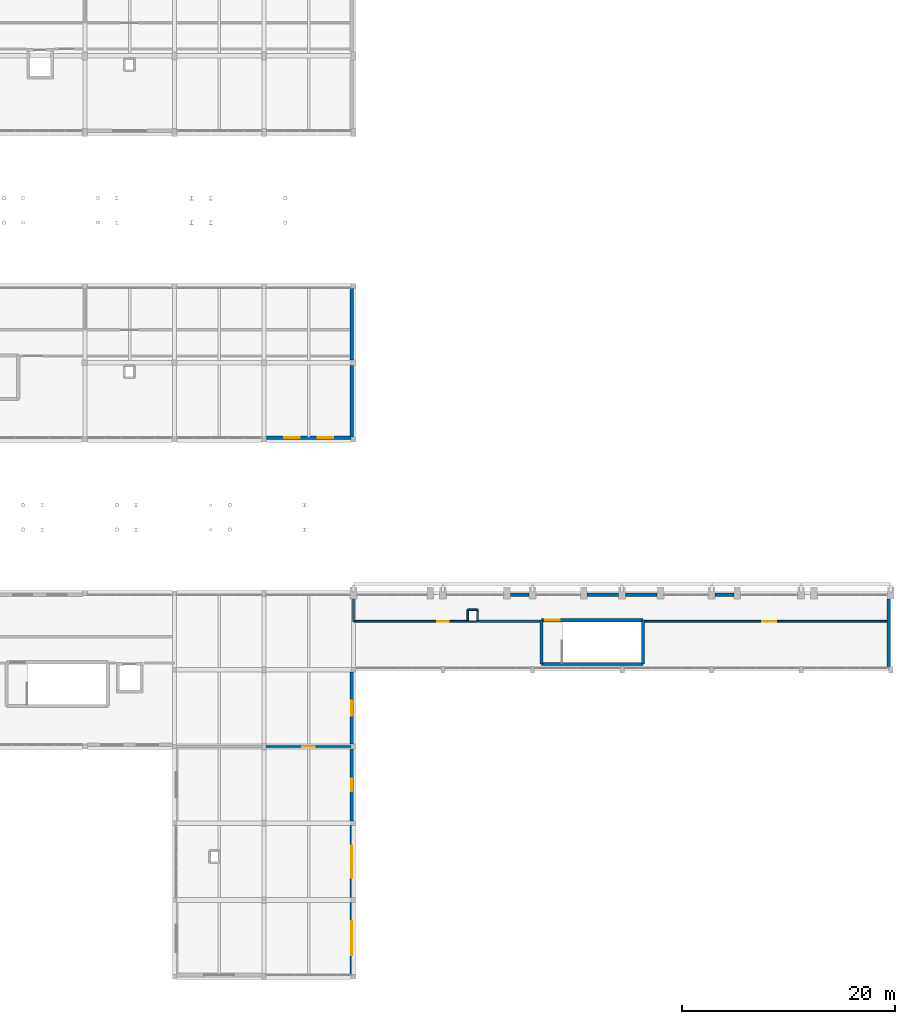
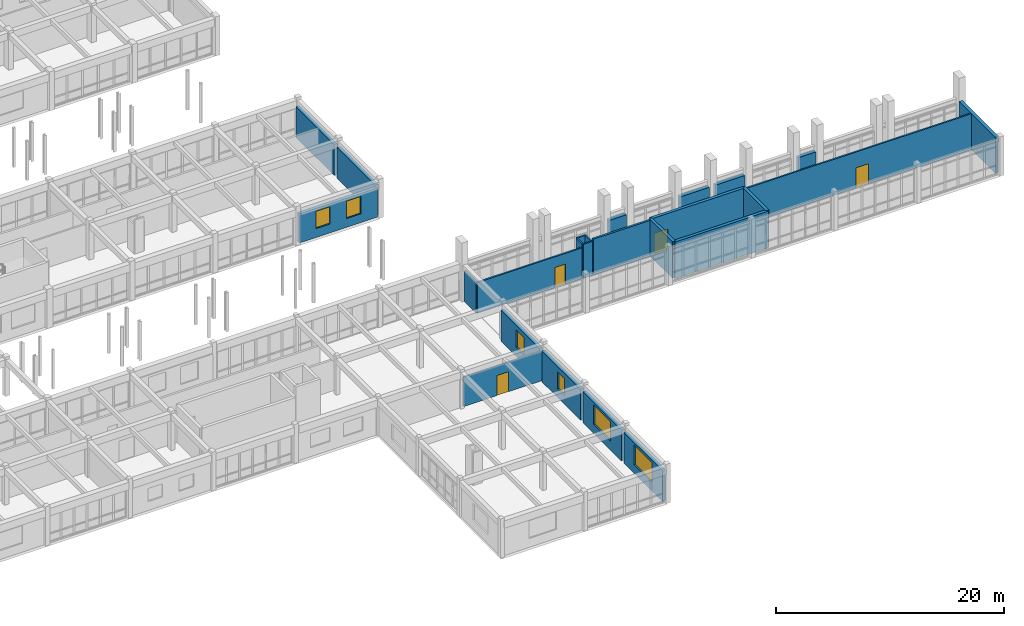
# One storey, part 136 of 147: 25 walls, 6 windows, 4 doors, 10 openings.
"""IFC4 building model written with IfcOpenShell, lengths in metres."""

from ifc_helpers import new_model, si_unit, direction, frame, frame_2d, origin, place, context, subcontext, project, spatial, rectangle, extrude, material, layer, layer_set, type_object, element, fill, save


model = new_model("IFC4")

# Units and contexts
model_context = context("Model", 3, precision=1e-05, world=origin(), true_north=direction((0.0, 1.0)))
body_context = subcontext(model_context, "Body", "Model", "MODEL_VIEW")
ifc_project = project(units=[si_unit("LENGTHUNIT", "METRE"), si_unit("AREAUNIT", "SQUARE_METRE"), si_unit("VOLUMEUNIT", "CUBIC_METRE"), si_unit("PLANEANGLEUNIT", "RADIAN"), si_unit("MASSUNIT", "GRAM", prefix="KILO")], contexts=[model_context])

# Site, building, storey
site_placement = place(None, origin())
site = spatial("IfcSite", under=ifc_project, at=site_placement, CompositionType="ELEMENT")
building_placement = place(site_placement, origin())
building = spatial("IfcBuilding", under=site, at=building_placement, Name="Malvenik Polytechnic", CompositionType="ELEMENT")
storey_placement = place(building_placement, frame((0.0, 0.0, 5.10009765625)))
storey = spatial("IfcBuildingStorey", under=building, at=storey_placement, Name="L01", CompositionType="ELEMENT", Elevation=5.10009765625)

# Wall
ifc_material_1 = material(Name="Concrete C35/45", Category="concrete")
ifc_layer_1 = layer(ifc_material_1, 0.300048828125)
ifc_layer_set_1 = layer_set([ifc_layer_1], Name="Concrete C35/45")
wall_type_1 = type_object("IfcWallType", Name="ARC-CW-S300", PredefinedType="SHEAR", material=ifc_layer_set_1)
wall_1_placement = place(storey_placement, frame((152.050048828125, 29.35009765625, 0.0), z_axis=(0.0, 0.0, 1.0), x_axis=(0.0, 1.0, 0.0)))
element("IfcWall", 1, at=wall_1_placement, inside=storey, type_object=wall_type_1, Name="Stair Core Shear Wall ST-13 L01 NEAR", PredefinedType="SHEAR", context=body_context, shape_type="SweptSolid", body=[
    extrude(rectangle(XDim=4.099853515625, YDim=0.300048828125, at=frame_2d((2.0498046875, 0.0))), origin(), (0.0, 0.0, 1.0), 3.919921875),
])

# Wall, opening, door
wall_2_placement = place(storey_placement, frame((152.050048828125, 33.449951171875, 0.0), z_axis=(0.0, 0.0, 1.0), x_axis=(1.0, 0.0, 0.0)))
wall_2 = element("IfcWall", 2, at=wall_2_placement, inside=storey, type_object=wall_type_1, Name="Stair Core Shear Wall ST-13 L01 RGHT", PredefinedType="SHEAR", context=body_context, shape_type="SweptSolid", body=[
    extrude(rectangle(XDim=9.5, YDim=0.300048828125, at=frame_2d((4.75, 0.0))), origin(), (0.0, 0.0, 1.0), 3.919921875),
])
opening_1_placement = place(wall_2_placement, frame((0.35009765625, 0.0, 0.0)))
opening_1 = element("IfcOpeningElement", 3, at=opening_1_placement, cuts=wall_2, Name="Opening SD-01", PredefinedType="OPENING", context=body_context, shape_type="SweptSolid", body=[
    extrude(rectangle(XDim=1.35009765625, YDim=2.199951171875, at=frame_2d((0.675048828125, 1.10009765625))), frame((0.0, 0.16015625, 0.0), z_axis=(0.0, -1.0, 0.0), x_axis=(1.0, 0.0, 0.0)), (0.0, 0.0, 1.0), 0.320068359375),
])
ifc_material_2 = material(Name="Fire-rated steel stair enclosure door", Category="steel")
door_type_1 = type_object("IfcDoorType", Name="ARC-IDR-SD-01", OperationType="NOTDEFINED", PredefinedType="DOOR", material=ifc_material_2)
door_1_placement = place(opening_1_placement, origin())
door_1 = element("IfcDoor", 4, at=door_1_placement, inside=storey, type_object=door_type_1, Name="Fire Stair Door ST-13 L01", OperationType="SINGLE_SWING_LEFT", OverallHeight=2.199951171875, OverallWidth=1.35009765625, PredefinedType="DOOR", context=body_context, shape_type="SweptSolid", body=[
    extrude(rectangle(XDim=1.35009765625, YDim=2.199951171875, at=frame_2d((0.675048828125, 1.10009765625))), frame((0.0, 0.02490234375, 0.0), z_axis=(0.0, -1.0, 0.0), x_axis=(1.0, 0.0, 0.0)), (0.0, 0.0, 1.0), 0.050048828125),
])
fill(opening_1, door_1)

# Walls
wall_3_placement = place(storey_placement, frame((161.550048828125, 33.449951171875, 0.0), z_axis=(0.0, 0.0, 1.0), x_axis=(0.0, -1.0, 0.0)))
element("IfcWall", 5, at=wall_3_placement, inside=storey, type_object=wall_type_1, Name="Stair Core Shear Wall ST-13 L01 FAR", PredefinedType="SHEAR", context=body_context, shape_type="SweptSolid", body=[
    extrude(rectangle(XDim=4.099853515625, YDim=0.300048828125, at=frame_2d((2.0498046875, 0.0))), origin(), (0.0, 0.0, 1.0), 3.919921875),
])
wall_4_placement = place(storey_placement, frame((161.550048828125, 29.35009765625, 0.0), z_axis=(0.0, 0.0, 1.0), x_axis=(-1.0, 0.0, 0.0)))
element("IfcWall", 6, at=wall_4_placement, inside=storey, type_object=wall_type_1, Name="Stair Core Shear Wall ST-13 L01 LEFT", PredefinedType="SHEAR", context=body_context, shape_type="SweptSolid", body=[
    extrude(rectangle(XDim=9.5, YDim=0.300048828125, at=frame_2d((4.75, 0.0))), origin(), (0.0, 0.0, 1.0), 3.919921875),
])
ifc_material_3 = material(Name="Concrete C30/37", Category="concrete")
ifc_layer_2 = layer(ifc_material_3, 0.340087890625)
ifc_layer_set_2 = layer_set([ifc_layer_2], Name="Concrete C30/37")
wall_type_2 = type_object("IfcWallType", Name="ARC-EW-340", PredefinedType="SOLIDWALL", material=ifc_layer_set_2)
for number, where, z_axis, x_axis, name in (
    (7, (134.22998046875, 64.552001953125, 0.0), (0.0, 0.0, 1.0), (0.0, -1.0, 0.0), "External Facade Wall EW-02 L01 #215"),
    (8, (134.22998046875, 57.35205078125, 0.0), (0.0, 0.0, 1.0), (0.0, -1.0, 0.0), "External Facade Wall EW-02 L01 #216"),
):
    element("IfcWall", number, at=place(storey_placement, frame(where, z_axis=z_axis, x_axis=x_axis)), inside=storey, type_object=wall_type_2, Name=name, PredefinedType="SOLIDWALL", context=body_context, shape_type="SweptSolid", body=[
        extrude(rectangle(XDim=6.7041015625, YDim=0.340087890625, at=frame_2d((3.35205078125, 0.0))), origin(), (0.0, 0.0, 1.0), 3.309814453125),
    ])

# Wall, openings, windows
wall_5_placement = place(storey_placement, frame((134.152099609375, 50.570068359375, 0.0), z_axis=(0.0, 0.0, 1.0), x_axis=(-1.0, 0.0, 0.0)))
wall_5 = element("IfcWall", 9, at=wall_5_placement, inside=storey, type_object=wall_type_2, Name="External Facade Wall EW-02 L01 #217", PredefinedType="SOLIDWALL", context=body_context, shape_type="SweptSolid", body=[
    extrude(rectangle(XDim=7.904052734375, YDim=0.340087890625, at=frame_2d((3.9521484375, 0.0))), origin(), (0.0, 0.0, 1.0), 3.10986328125),
])
opening_2_placement = place(wall_5_placement, frame((1.66796875, 0.0, 0.949951171875)))
opening_2 = element("IfcOpeningElement", 10, at=opening_2_placement, cuts=wall_5, Name="Opening W-31", PredefinedType="OPENING", context=body_context, shape_type="SweptSolid", body=[
    extrude(rectangle(XDim=1.449951171875, YDim=1.85009765625, at=frame_2d((0.72509765625, 0.925048828125))), frame((0.0, 0.18017578125, 0.0), z_axis=(0.0, -1.0, 0.0), x_axis=(1.0, 0.0, 0.0)), (0.0, 0.0, 1.0), 0.360107421875),
])
opening_3_placement = place(wall_5_placement, frame((4.785888671875, 0.0, 0.949951171875)))
opening_3 = element("IfcOpeningElement", 11, at=opening_3_placement, cuts=wall_5, Name="Opening W-31", PredefinedType="OPENING", context=body_context, shape_type="SweptSolid", body=[
    extrude(rectangle(XDim=1.449951171875, YDim=1.85009765625, at=frame_2d((0.72509765625, 0.925048828125))), frame((0.0, 0.18017578125, 0.0), z_axis=(0.0, -1.0, 0.0), x_axis=(1.0, 0.0, 0.0)), (0.0, 0.0, 1.0), 0.360107421875),
])
ifc_material_4 = material(Name="Thermally broken aluminium frame with low-E double glazing", Category="aluminium")
window_type_1 = type_object("IfcWindowType", Name="ARC-WIN-W-31", PartitioningType="SINGLE_PANEL", PredefinedType="WINDOW", material=ifc_material_4)
window_1_placement = place(opening_2_placement, origin())
window_1 = element("IfcWindow", 12, at=window_1_placement, inside=storey, type_object=window_type_1, Name="Punched Window W-31 L01 #180", OverallHeight=1.85009765625, OverallWidth=1.449951171875, PartitioningType="SINGLE_PANEL", PredefinedType="WINDOW", context=body_context, shape_type="SweptSolid", body=[
    extrude(rectangle(XDim=1.449951171875, YDim=1.85009765625, at=frame_2d((0.72509765625, 0.925048828125))), frame((0.0, 0.030029296875, 0.0), z_axis=(0.0, -1.0, 0.0), x_axis=(1.0, 0.0, 0.0)), (0.0, 0.0, 1.0), 0.06005859375),
])
fill(opening_2, window_1)
window_2_placement = place(opening_3_placement, origin())
window_2 = element("IfcWindow", 13, at=window_2_placement, inside=storey, type_object=window_type_1, Name="Punched Window W-31 L01 #181", OverallHeight=1.85009765625, OverallWidth=1.449951171875, PartitioningType="SINGLE_PANEL", PredefinedType="WINDOW", context=body_context, shape_type="SweptSolid", body=[
    extrude(rectangle(XDim=1.449951171875, YDim=1.85009765625, at=frame_2d((0.72509765625, 0.925048828125))), frame((0.0, 0.030029296875, 0.0), z_axis=(0.0, -1.0, 0.0), x_axis=(1.0, 0.0, 0.0)), (0.0, 0.0, 1.0), 0.06005859375),
])
fill(opening_3, window_2)

# Walls
wall_6_placement = place(storey_placement, frame((149.123046875, 35.830078125, 0.0), z_axis=(0.0, 0.0, 1.0), x_axis=(1.0, 0.0, 0.0)))
element("IfcWall", 14, at=wall_6_placement, inside=storey, type_object=wall_type_2, Name="External Facade Wall EW-02 L01 #221", PredefinedType="SOLIDWALL", context=body_context, shape_type="SweptSolid", body=[
    extrude(rectangle(XDim=1.75390625, YDim=0.340087890625, at=frame_2d((0.876953125, 0.0))), origin(), (0.0, 0.0, 1.0), 3.347900390625),
])
wall_7_placement = place(storey_placement, frame((156.322998046875, 35.830078125, 0.0), z_axis=(0.0, 0.0, 1.0), x_axis=(1.0, 0.0, 0.0)))
element("IfcWall", 15, at=wall_7_placement, inside=storey, type_object=wall_type_2, Name="External Facade Wall EW-02 L01 #222", PredefinedType="SOLIDWALL", context=body_context, shape_type="SweptSolid", body=[
    extrude(rectangle(XDim=2.9541015625, YDim=0.340087890625, at=frame_2d((1.47705078125, 0.0))), origin(), (0.0, 0.0, 1.0), 3.347900390625),
])
wall_8_placement = place(storey_placement, frame((159.923095703125, 35.830078125, 0.0), z_axis=(0.0, 0.0, 1.0), x_axis=(1.0, 0.0, 0.0)))
element("IfcWall", 16, at=wall_8_placement, inside=storey, type_object=wall_type_2, Name="External Facade Wall EW-02 L01 #223", PredefinedType="SOLIDWALL", context=body_context, shape_type="SweptSolid", body=[
    extrude(rectangle(XDim=2.953857421875, YDim=0.340087890625, at=frame_2d((1.47705078125, 0.0))), origin(), (0.0, 0.0, 1.0), 3.347900390625),
])
wall_9_placement = place(storey_placement, frame((168.322998046875, 35.830078125, 0.0), z_axis=(0.0, 0.0, 1.0), x_axis=(1.0, 0.0, 0.0)))
element("IfcWall", 17, at=wall_9_placement, inside=storey, type_object=wall_type_2, Name="External Facade Wall EW-02 L01 #224", PredefinedType="SOLIDWALL", context=body_context, shape_type="SweptSolid", body=[
    extrude(rectangle(XDim=1.75390625, YDim=0.340087890625, at=frame_2d((0.876953125, 0.0))), origin(), (0.0, 0.0, 1.0), 3.347900390625),
])
wall_10_placement = place(storey_placement, frame((184.6298828125, 35.451904296875, 0.0), z_axis=(0.0, 0.0, 1.0), x_axis=(0.0, -1.0, 0.0)))
element("IfcWall", 18, at=wall_10_placement, inside=storey, type_object=wall_type_2, Name="External Facade Wall EW-02 L01 #225", PredefinedType="SOLIDWALL", context=body_context, shape_type="SweptSolid", body=[
    extrude(rectangle(XDim=6.35400390625, YDim=0.340087890625, at=frame_2d((3.177001953125, 0.0))), origin(), (0.0, 0.0, 1.0), 3.85986328125),
])

# Wall, opening, window
wall_11_placement = place(storey_placement, frame((134.22998046875, 28.576904296875, 0.0), z_axis=(0.0, 0.0, 1.0), x_axis=(0.0, -1.0, 0.0)))
wall_11 = element("IfcWall", 19, at=wall_11_placement, inside=storey, type_object=wall_type_2, Name="External Facade Wall EW-02 L01 #226", PredefinedType="SOLIDWALL", context=body_context, shape_type="SweptSolid", body=[
    extrude(rectangle(XDim=6.75390625, YDim=0.340087890625, at=frame_2d((3.376953125, 0.0))), origin(), (0.0, 0.0, 1.0), 3.309814453125),
])
opening_4_placement = place(wall_11_placement, frame((2.677001953125, 0.0, 0.949951171875)))
opening_4 = element("IfcOpeningElement", 20, at=opening_4_placement, cuts=wall_11, Name="Opening W-06", PredefinedType="OPENING", context=body_context, shape_type="SweptSolid", body=[
    extrude(rectangle(XDim=1.39990234375, YDim=1.89990234375, at=frame_2d((0.699951171875, 0.949951171875))), frame((0.0, 0.18017578125, 0.0), z_axis=(0.0, -1.0, 0.0), x_axis=(1.0, 0.0, 0.0)), (0.0, 0.0, 1.0), 0.360107421875),
])
window_type_2 = type_object("IfcWindowType", Name="ARC-WIN-W-06", PartitioningType="SINGLE_PANEL", PredefinedType="WINDOW", material=ifc_material_4)
window_3_placement = place(opening_4_placement, origin())
window_3 = element("IfcWindow", 21, at=window_3_placement, inside=storey, type_object=window_type_2, Name="Punched Window W-06 L01 #187", OverallHeight=1.89990234375, OverallWidth=1.39990234375, PartitioningType="SINGLE_PANEL", PredefinedType="WINDOW", context=body_context, shape_type="SweptSolid", body=[
    extrude(rectangle(XDim=1.39990234375, YDim=1.89990234375, at=frame_2d((0.699951171875, 0.949951171875))), frame((0.0, 0.030029296875, 0.0), z_axis=(0.0, -1.0, 0.0), x_axis=(1.0, 0.0, 0.0)), (0.0, 0.0, 1.0), 0.06005859375),
])
fill(opening_4, window_3)

wall_12_placement = place(storey_placement, frame((134.22998046875, 21.376953125, 0.0), z_axis=(0.0, 0.0, 1.0), x_axis=(0.0, -1.0, 0.0)))
wall_12 = element("IfcWall", 22, at=wall_12_placement, inside=storey, type_object=wall_type_2, Name="External Facade Wall EW-02 L01 #227", PredefinedType="SOLIDWALL", context=body_context, shape_type="SweptSolid", body=[
    extrude(rectangle(XDim=6.75390625, YDim=0.340087890625, at=frame_2d((3.376953125, 0.0))), origin(), (0.0, 0.0, 1.0), 3.309814453125),
])
opening_5_placement = place(wall_12_placement, frame((2.777099609375, 0.0, 0.949951171875)))
opening_5 = element("IfcOpeningElement", 23, at=opening_5_placement, cuts=wall_12, Name="Opening W-07", PredefinedType="OPENING", context=body_context, shape_type="SweptSolid", body=[
    extrude(rectangle(XDim=1.199951171875, YDim=1.800048828125, at=frame_2d((0.60009765625, 0.89990234375))), frame((0.0, 0.18017578125, 0.0), z_axis=(0.0, -1.0, 0.0), x_axis=(1.0, 0.0, 0.0)), (0.0, 0.0, 1.0), 0.360107421875),
])
window_type_3 = type_object("IfcWindowType", Name="ARC-WIN-W-07", PartitioningType="SINGLE_PANEL", PredefinedType="WINDOW", material=ifc_material_4)
window_4_placement = place(opening_5_placement, origin())
window_4 = element("IfcWindow", 24, at=window_4_placement, inside=storey, type_object=window_type_3, Name="Punched Window W-07 L01 #188", OverallHeight=1.800048828125, OverallWidth=1.199951171875, PartitioningType="SINGLE_PANEL", PredefinedType="WINDOW", context=body_context, shape_type="SweptSolid", body=[
    extrude(rectangle(XDim=1.199951171875, YDim=1.800048828125, at=frame_2d((0.60009765625, 0.89990234375))), frame((0.0, 0.030029296875, 0.0), z_axis=(0.0, -1.0, 0.0), x_axis=(1.0, 0.0, 0.0)), (0.0, 0.0, 1.0), 0.06005859375),
])
fill(opening_5, window_4)

wall_13_placement = place(storey_placement, frame((134.22998046875, 14.177001953125, 0.0), z_axis=(0.0, 0.0, 1.0), x_axis=(0.0, -1.0, 0.0)))
wall_13 = element("IfcWall", 25, at=wall_13_placement, inside=storey, type_object=wall_type_2, Name="External Facade Wall EW-02 L01 #228", PredefinedType="SOLIDWALL", context=body_context, shape_type="SweptSolid", body=[
    extrude(rectangle(XDim=6.75390625, YDim=0.340087890625, at=frame_2d((3.376953125, 0.0))), origin(), (0.0, 0.0, 1.0), 3.309814453125),
])
opening_6_placement = place(wall_13_placement, frame((1.876953125, 0.0, 0.949951171875)))
opening_6 = element("IfcOpeningElement", 26, at=opening_6_placement, cuts=wall_13, Name="Opening W-08", PredefinedType="OPENING", context=body_context, shape_type="SweptSolid", body=[
    extrude(rectangle(XDim=3.0, YDim=2.10009765625, at=frame_2d((1.5, 1.050048828125))), frame((0.0, 0.18017578125, 0.0), z_axis=(0.0, -1.0, 0.0), x_axis=(1.0, 0.0, 0.0)), (0.0, 0.0, 1.0), 0.360107421875),
])
window_type_4 = type_object("IfcWindowType", Name="ARC-WIN-W-08", PartitioningType="SINGLE_PANEL", PredefinedType="WINDOW", material=ifc_material_4)
window_5_placement = place(opening_6_placement, origin())
window_5 = element("IfcWindow", 27, at=window_5_placement, inside=storey, type_object=window_type_4, Name="Punched Window W-08 L01 #189", OverallHeight=2.10009765625, OverallWidth=3.0, PartitioningType="SINGLE_PANEL", PredefinedType="WINDOW", context=body_context, shape_type="SweptSolid", body=[
    extrude(rectangle(XDim=3.0, YDim=2.10009765625, at=frame_2d((1.5, 1.050048828125))), frame((0.0, 0.030029296875, 0.0), z_axis=(0.0, -1.0, 0.0), x_axis=(1.0, 0.0, 0.0)), (0.0, 0.0, 1.0), 0.06005859375),
])
fill(opening_6, window_5)

wall_14_placement = place(storey_placement, frame((134.22998046875, 6.97705078125, 0.0), z_axis=(0.0, 0.0, 1.0), x_axis=(0.0, -1.0, 0.0)))
wall_14 = element("IfcWall", 28, at=wall_14_placement, inside=storey, type_object=wall_type_2, Name="External Facade Wall EW-02 L01 #229", PredefinedType="SOLIDWALL", context=body_context, shape_type="SweptSolid", body=[
    extrude(rectangle(XDim=6.754150390625, YDim=0.340087890625, at=frame_2d((3.376953125, 0.0))), origin(), (0.0, 0.0, 1.0), 3.309814453125),
])
opening_7_placement = place(wall_14_placement, frame((1.777099609375, 0.0, 0.949951171875)))
opening_7 = element("IfcOpeningElement", 29, at=opening_7_placement, cuts=wall_14, Name="Opening W-09", PredefinedType="OPENING", context=body_context, shape_type="SweptSolid", body=[
    extrude(rectangle(XDim=3.199951171875, YDim=2.110107421875, at=frame_2d((1.60009765625, 1.05517578125))), frame((0.0, 0.18017578125, 0.0), z_axis=(0.0, -1.0, 0.0), x_axis=(1.0, 0.0, 0.0)), (0.0, 0.0, 1.0), 0.360107421875),
])
window_type_5 = type_object("IfcWindowType", Name="ARC-WIN-W-09", PartitioningType="SINGLE_PANEL", PredefinedType="WINDOW", material=ifc_material_4)
window_6_placement = place(opening_7_placement, origin())
window_6 = element("IfcWindow", 30, at=window_6_placement, inside=storey, type_object=window_type_5, Name="Punched Window W-09 L01 #190", OverallHeight=2.110107421875, OverallWidth=3.199951171875, PartitioningType="SINGLE_PANEL", PredefinedType="WINDOW", context=body_context, shape_type="SweptSolid", body=[
    extrude(rectangle(XDim=3.199951171875, YDim=2.110107421875, at=frame_2d((1.60009765625, 1.05517578125))), frame((0.0, 0.030029296875, 0.0), z_axis=(0.0, -1.0, 0.0), x_axis=(1.0, 0.0, 0.0)), (0.0, 0.0, 1.0), 0.06005859375),
])
fill(opening_7, window_6)

# Walls
ifc_material_5 = material(Name="Calcium silicate fire-rated blockwork 200mm", Category="masonry")
ifc_layer_3 = layer(ifc_material_5, 0.199951171875)
ifc_layer_set_3 = layer_set([ifc_layer_3], Name="Calcium silicate fire-rated blockwork 200mm")
wall_type_3 = type_object("IfcWallType", Name="ARC-FW-200", PredefinedType="SOLIDWALL", material=ifc_layer_set_3)
wall_15_placement = place(storey_placement, frame((151.909912109375, 33.35009765625, 0.0), z_axis=(0.0, 0.0, 1.0), x_axis=(-1.0, 0.0, 0.0)))
element("IfcWall", 31, at=wall_15_placement, inside=storey, type_object=wall_type_3, Name="Interior Partition FW-02 L01 #230", PredefinedType="SOLIDWALL", context=body_context, shape_type="SweptSolid", body=[
    extrude(rectangle(XDim=5.780029296875, YDim=0.199951171875, at=frame_2d((2.89013671875, 0.0))), origin(), (0.0, 0.0, 1.0), 3.849853515625),
])
wall_16_placement = place(storey_placement, frame((134.39990234375, 33.35009765625, 0.0), z_axis=(0.0, 0.0, 1.0), x_axis=(0.0, 1.0, 0.0)))
element("IfcWall", 32, at=wall_16_placement, inside=storey, type_object=wall_type_3, Name="Interior Partition FW-02 L01 #232", PredefinedType="SOLIDWALL", context=body_context, shape_type="SweptSolid", body=[
    extrude(rectangle(XDim=2.079833984375, YDim=0.199951171875, at=frame_2d((1.0400390625, 0.0))), origin(), (0.0, 0.0, 1.0), 3.304931640625),
])
ifc_material_6 = material(Name="Double-stud acoustic gypsum board partition 160mm", Category="gypsum")
ifc_layer_4 = layer(ifc_material_6, 0.159912109375)
ifc_layer_set_4 = layer_set([ifc_layer_4], Name="Double-stud acoustic gypsum board partition 160mm")
wall_type_4 = type_object("IfcWallType", Name="ARC-PW-160", PredefinedType="PARTITIONING", material=ifc_layer_set_4)
for number, where, z_axis, x_axis, name in (
    (33, (145.1201171875, 33.320068359375, 0.0), (0.0, 0.0, 1.0), (1.0, 0.0, 0.0), "Riser Shaft Enclosure L01 #27S"),
    (34, (146.030029296875, 34.429931640625, 0.0), (0.0, 0.0, 1.0), (-1.0, 0.0, 0.0), "Riser Shaft Enclosure L01 #27N"),
):
    element("IfcWall", number, at=place(storey_placement, frame(where, z_axis=z_axis, x_axis=x_axis)), inside=storey, type_object=wall_type_4, Name=name, PredefinedType="PARTITIONING", context=body_context, shape_type="SweptSolid", body=[
        extrude(rectangle(XDim=0.909912109375, YDim=0.159912109375, at=frame_2d((0.455078125, 0.0))), origin(), (0.0, 0.0, 1.0), 3.64990234375),
    ])
for number, where, z_axis, x_axis, name in (
    (35, (145.1201171875, 34.429931640625, 0.0), (0.0, 0.0, 1.0), (0.0, -1.0, 0.0), "Riser Shaft Enclosure L01 #27W"),
    (36, (146.030029296875, 33.320068359375, 0.0), (0.0, 0.0, 1.0), (0.0, 1.0, 0.0), "Riser Shaft Enclosure L01 #27E"),
):
    element("IfcWall", number, at=place(storey_placement, frame(where, z_axis=z_axis, x_axis=x_axis)), inside=storey, type_object=wall_type_4, Name=name, PredefinedType="PARTITIONING", context=body_context, shape_type="SweptSolid", body=[
        extrude(rectangle(XDim=1.10986328125, YDim=0.159912109375, at=frame_2d((0.554931640625, 0.0))), origin(), (0.0, 0.0, 1.0), 3.64990234375),
    ])

# Wall, opening, door
wall_17_placement = place(storey_placement, frame((134.155029296875, 21.60009765625, 0.0), z_axis=(0.0, 0.0, 1.0), x_axis=(-1.0, 0.0, 0.0)))
wall_17 = element("IfcWall", 37, at=wall_17_placement, inside=storey, type_object=wall_type_4, Name="Interior Partition PW-01I L01 #223", PredefinedType="PARTITIONING", context=body_context, shape_type="SweptSolid", body=[
    extrude(rectangle(XDim=7.93505859375, YDim=0.159912109375, at=frame_2d((3.967529296875, 0.0))), origin(), (0.0, 0.0, 1.0), 3.15478515625),
])
opening_8_placement = place(wall_17_placement, frame((3.367431640625, 0.0, 0.0)))
opening_8 = element("IfcOpeningElement", 38, at=opening_8_placement, cuts=wall_17, Name="Opening FD-10", PredefinedType="OPENING", context=body_context, shape_type="SweptSolid", body=[
    extrude(rectangle(XDim=1.199951171875, YDim=2.14990234375, at=frame_2d((0.60009765625, 1.074951171875))), frame((0.0, 0.08984375, 0.0), z_axis=(0.0, -1.0, 0.0), x_axis=(1.0, 0.0, 0.0)), (0.0, 0.0, 1.0), 0.179931640625),
])
ifc_material_7 = material(Name="Fire-rated laboratory corridor door", Category="steel")
door_type_2 = type_object("IfcDoorType", Name="ARC-IDR-FD-10", OperationType="NOTDEFINED", PredefinedType="DOOR", material=ifc_material_7)
door_2_placement = place(opening_8_placement, origin())
door_2 = element("IfcDoor", 39, at=door_2_placement, inside=storey, type_object=door_type_2, Name="Interior Door FD-10 L01 #95", OperationType="SINGLE_SWING_RIGHT", OverallHeight=2.14990234375, OverallWidth=1.199951171875, PredefinedType="DOOR", context=body_context, shape_type="SweptSolid", body=[
    extrude(rectangle(XDim=1.199951171875, YDim=2.14990234375, at=frame_2d((0.60009765625, 1.074951171875))), frame((0.0, 0.02490234375, 0.0), z_axis=(0.0, -1.0, 0.0), x_axis=(1.0, 0.0, 0.0)), (0.0, 0.0, 1.0), 0.050048828125),
])
fill(opening_8, door_2)

wall_18_placement = place(storey_placement, frame((184.580078125, 33.35009765625, 0.0), z_axis=(0.0, 0.0, 1.0), x_axis=(-1.0, 0.0, 0.0)))
wall_18 = element("IfcWall", 40, at=wall_18_placement, inside=storey, type_object=wall_type_4, Name="Interior Partition PW-01I L01 #229", PredefinedType="PARTITIONING", context=body_context, shape_type="SweptSolid", body=[
    extrude(rectangle(XDim=22.89013671875, YDim=0.159912109375, at=frame_2d((11.445068359375, 0.0))), origin(), (0.0, 0.0, 1.0), 3.849853515625),
])
opening_9_placement = place(wall_18_placement, frame((10.530029296875, 0.0, 0.0)))
opening_9 = element("IfcOpeningElement", 41, at=opening_9_placement, cuts=wall_18, Name="Opening FD-04", PredefinedType="OPENING", context=body_context, shape_type="SweptSolid", body=[
    extrude(rectangle(XDim=1.300048828125, YDim=2.14990234375, at=frame_2d((0.64990234375, 1.074951171875))), frame((0.0, 0.08984375, 0.0), z_axis=(0.0, -1.0, 0.0), x_axis=(1.0, 0.0, 0.0)), (0.0, 0.0, 1.0), 0.179931640625),
])
ifc_material_8 = material(Name="Fire-rated plant room steel door", Category="steel")
door_type_3 = type_object("IfcDoorType", Name="ARC-IDR-FD-04", OperationType="NOTDEFINED", PredefinedType="DOOR", material=ifc_material_8)
door_3_placement = place(opening_9_placement, origin())
door_3 = element("IfcDoor", 42, at=door_3_placement, inside=storey, type_object=door_type_3, Name="Interior Door FD-04 L01 #98", OperationType="SINGLE_SWING_RIGHT", OverallHeight=2.14990234375, OverallWidth=1.300048828125, PredefinedType="DOOR", context=body_context, shape_type="SweptSolid", body=[
    extrude(rectangle(XDim=1.300048828125, YDim=2.14990234375, at=frame_2d((0.64990234375, 1.074951171875))), frame((0.0, 0.02490234375, 0.0), z_axis=(0.0, -1.0, 0.0), x_axis=(1.0, 0.0, 0.0)), (0.0, 0.0, 1.0), 0.050048828125),
])
fill(opening_9, door_3)

wall_19_placement = place(storey_placement, frame((145.02001953125, 33.35009765625, 0.0), z_axis=(0.0, 0.0, 1.0), x_axis=(-1.0, 0.0, 0.0)))
wall_19 = element("IfcWall", 43, at=wall_19_placement, inside=storey, type_object=wall_type_4, Name="Interior Partition PW-01I L01 #231", PredefinedType="PARTITIONING", context=body_context, shape_type="SweptSolid", body=[
    extrude(rectangle(XDim=10.6201171875, YDim=0.159912109375, at=frame_2d((5.31005859375, 0.0))), origin(), (0.0, 0.0, 1.0), 3.304931640625),
])
opening_10_placement = place(wall_19_placement, frame((1.695068359375, 0.0, 0.0)))
opening_10 = element("IfcOpeningElement", 44, at=opening_10_placement, cuts=wall_19, Name="Opening FD-05", PredefinedType="OPENING", context=body_context, shape_type="SweptSolid", body=[
    extrude(rectangle(XDim=1.050048828125, YDim=2.14990234375, at=frame_2d((0.52490234375, 1.074951171875))), frame((0.0, 0.08984375, 0.0), z_axis=(0.0, -1.0, 0.0), x_axis=(1.0, 0.0, 0.0)), (0.0, 0.0, 1.0), 0.179931640625),
])
ifc_material_9 = material(Name="Fire-rated archive room door", Category="steel")
door_type_4 = type_object("IfcDoorType", Name="ARC-IDR-FD-05", OperationType="NOTDEFINED", PredefinedType="DOOR", material=ifc_material_9)
door_4_placement = place(opening_10_placement, origin())
door_4 = element("IfcDoor", 45, at=door_4_placement, inside=storey, type_object=door_type_4, Name="Interior Door FD-05 L01 #99", OperationType="SINGLE_SWING_LEFT", OverallHeight=2.14990234375, OverallWidth=1.050048828125, PredefinedType="DOOR", context=body_context, shape_type="SweptSolid", body=[
    extrude(rectangle(XDim=1.050048828125, YDim=2.14990234375, at=frame_2d((0.52490234375, 1.074951171875))), frame((0.0, 0.02490234375, 0.0), z_axis=(0.0, -1.0, 0.0), x_axis=(1.0, 0.0, 0.0)), (0.0, 0.0, 1.0), 0.050048828125),
])
fill(opening_10, door_4)

save(model, "model.ifc")
